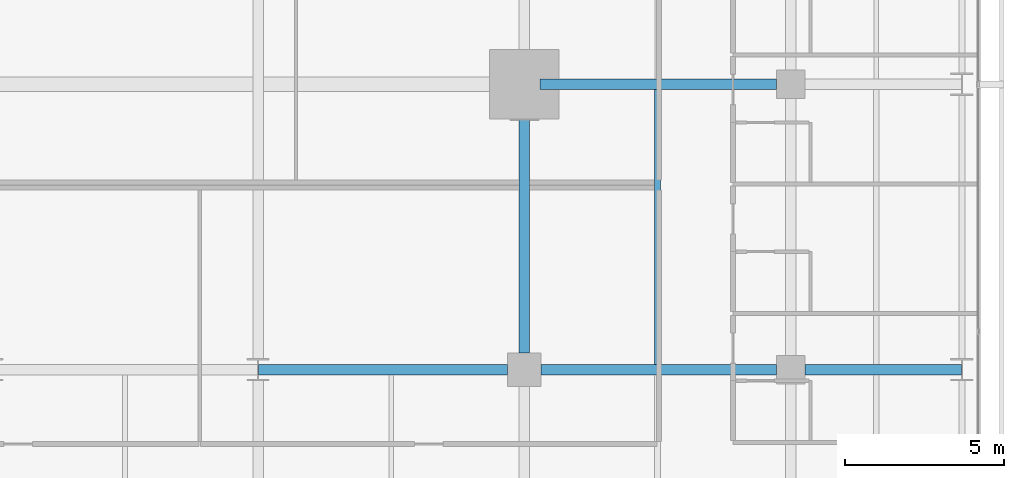
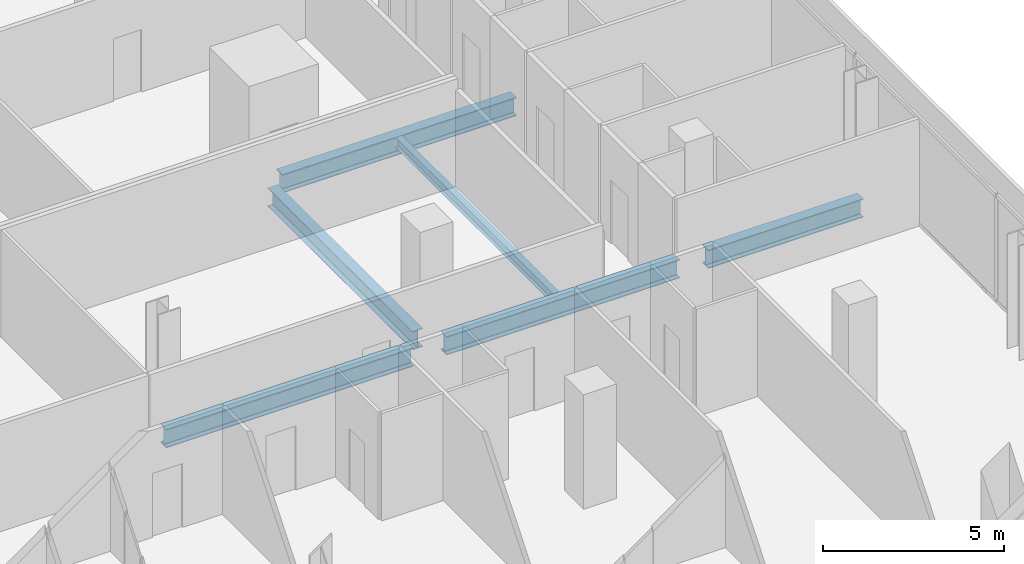
# One storey, part 18 of 40: 6 beams.
"""IFC4 building model written with IfcOpenShell, lengths in metres."""

from ifc_helpers import new_model, si_unit, direction, frame, origin, origin_2d, place, context, subcontext, project, spatial, i_section, extrude, material, material_profile, profile_set, type_object, element, save


model = new_model("IFC4")

# Units and contexts
model_context = context("Model", 3, precision=1e-05, world=origin(), true_north=direction((0.0, 1.0)))
body_context = subcontext(model_context, "Body", "Model", "MODEL_VIEW")
ifc_project = project(units=[si_unit("LENGTHUNIT", "METRE"), si_unit("AREAUNIT", "SQUARE_METRE"), si_unit("VOLUMEUNIT", "CUBIC_METRE"), si_unit("PLANEANGLEUNIT", "RADIAN"), si_unit("MASSUNIT", "GRAM", prefix="KILO")], contexts=[model_context])

# Site, building, storey
site_placement = place(None, origin())
site = spatial("IfcSite", under=ifc_project, at=site_placement, CompositionType="ELEMENT")
building_placement = place(site_placement, origin())
building = spatial("IfcBuilding", under=site, at=building_placement, Name="Maruvema Waterfront Hotel and Observation Tower", CompositionType="ELEMENT")
storey_placement = place(building_placement, frame((0.0, 0.0, 57.75)))
storey = spatial("IfcBuildingStorey", under=building, at=storey_placement, Name="L13", CompositionType="ELEMENT", Elevation=57.75)

# Beams
ifc_material_1 = material(Name="Steel ASTM A572 Grade 50", Category="steel")
ifc_material_profile_1 = material_profile(ifc_material_1, i_section(OverallWidth=0.326904296875, OverallDepth=0.6220703125, WebThickness=0.015380859375, FlangeThickness=0.0244140625, FilletRadius=0.01806640625, at=origin_2d()), Name="W610x195.0")
ifc_profile_set_1 = profile_set([ifc_material_profile_1], Name="Steel ASTM A572 Grade 50")
beam_type_1 = type_object("IfcBeamType", Name="Primary Floor Girder W610x195.0", PredefinedType="BEAM", material=ifc_profile_set_1)
beam_1_placement = place(storey_placement, frame((42.013916015625, 18.0, -0.551025390625), z_axis=(1.0, 0.0, 0.0), x_axis=(0.0, 1.0, 0.0)))
element("IfcBeam", 1, at=beam_1_placement, inside=storey, type_object=beam_type_1, Name="L13 Floor Girder EW-17", PredefinedType="BEAM", context=body_context, shape_type="SweptSolid", body=[
    extrude(i_section(OverallWidth=0.326904296875, OverallDepth=0.6220703125, WebThickness=0.015380859375, FlangeThickness=0.0244140625, FilletRadius=0.01806640625, at=origin_2d()), origin(), (0.0, 0.0, 1.0), 7.861083984375),
])
beam_2_placement = place(storey_placement, frame((50.925048828125, 18.0, -0.551025390625), z_axis=(1.0, 0.0, 0.0), x_axis=(0.0, 1.0, 0.0)))
element("IfcBeam", 2, at=beam_2_placement, inside=storey, type_object=beam_type_1, Name="L13 Floor Girder EW-18", PredefinedType="BEAM", context=body_context, shape_type="SweptSolid", body=[
    extrude(i_section(OverallWidth=0.326904296875, OverallDepth=0.6220703125, WebThickness=0.015380859375, FlangeThickness=0.0244140625, FilletRadius=0.01806640625, at=origin_2d()), origin(), (0.0, 0.0, 1.0), 7.425048828125),
])
beam_3_placement = place(storey_placement, frame((59.25, 18.0, -0.551025390625), z_axis=(1.0, 0.0, 0.0), x_axis=(0.0, 1.0, 0.0)))
element("IfcBeam", 3, at=beam_3_placement, inside=storey, type_object=beam_type_1, Name="L13 Floor Girder EW-19", PredefinedType="BEAM", context=body_context, shape_type="SweptSolid", body=[
    extrude(i_section(OverallWidth=0.326904296875, OverallDepth=0.6220703125, WebThickness=0.015380859375, FlangeThickness=0.0244140625, FilletRadius=0.01806640625, at=origin_2d()), origin(), (0.0, 0.0, 1.0), 4.93603515625),
])
beam_4_placement = place(storey_placement, frame((50.89990234375, 27.0, -0.551025390625), z_axis=(1.0, 0.0, 0.0), x_axis=(0.0, 1.0, 0.0)))
element("IfcBeam", 4, at=beam_4_placement, inside=storey, type_object=beam_type_1, Name="L13 Floor Girder EW-23", PredefinedType="BEAM", context=body_context, shape_type="SweptSolid", body=[
    extrude(i_section(OverallWidth=0.326904296875, OverallDepth=0.6220703125, WebThickness=0.015380859375, FlangeThickness=0.0244140625, FilletRadius=0.01806640625, at=origin_2d()), origin(), (0.0, 0.0, 1.0), 7.4501953125),
])
beam_5_placement = place(storey_placement, frame((50.39990234375, 18.52490234375, -0.551025390625), z_axis=(0.0, 1.0, 0.0), x_axis=(-1.0, 0.0, 0.0)))
element("IfcBeam", 5, at=beam_5_placement, inside=storey, type_object=beam_type_1, Name="L13 Floor Girder NS-24", PredefinedType="BEAM", context=body_context, shape_type="SweptSolid", body=[
    extrude(i_section(OverallWidth=0.326904296875, OverallDepth=0.6220703125, WebThickness=0.015380859375, FlangeThickness=0.0244140625, FilletRadius=0.01806640625, at=origin_2d()), origin(), (0.0, 0.0, 1.0), 7.97509765625),
])
ifc_material_2 = material(Name="Steel ASTM A572 Grade 50", Category="steel")
ifc_material_profile_2 = material_profile(ifc_material_2, i_section(OverallWidth=0.202880859375, OverallDepth=0.346923828125, WebThickness=0.0078125, FlangeThickness=0.013427734375, FilletRadius=0.014892578125, at=origin_2d()), Name="W360x64.0")
ifc_profile_set_2 = profile_set([ifc_material_profile_2], Name="Steel ASTM A572 Grade 50")
beam_type_2 = type_object("IfcBeamType", Name="Secondary Floor Joist W360x64.0", PredefinedType="JOIST", material=ifc_profile_set_2)
beam_6_placement = place(storey_placement, frame((54.60009765625, 18.16357421875, -0.41357421875), z_axis=(0.0, 1.0, 0.0), x_axis=(-1.0, 0.0, 0.0)))
element("IfcBeam", 6, at=beam_6_placement, inside=storey, type_object=beam_type_2, Name="L13 Secondary Floor Joist JS-18", PredefinedType="JOIST", context=body_context, shape_type="SweptSolid", body=[
    extrude(i_section(OverallWidth=0.202880859375, OverallDepth=0.346923828125, WebThickness=0.0078125, FlangeThickness=0.013427734375, FilletRadius=0.014892578125, at=origin_2d()), origin(), (0.0, 0.0, 1.0), 8.6728515625),
])

save(model, "model.ifc")
